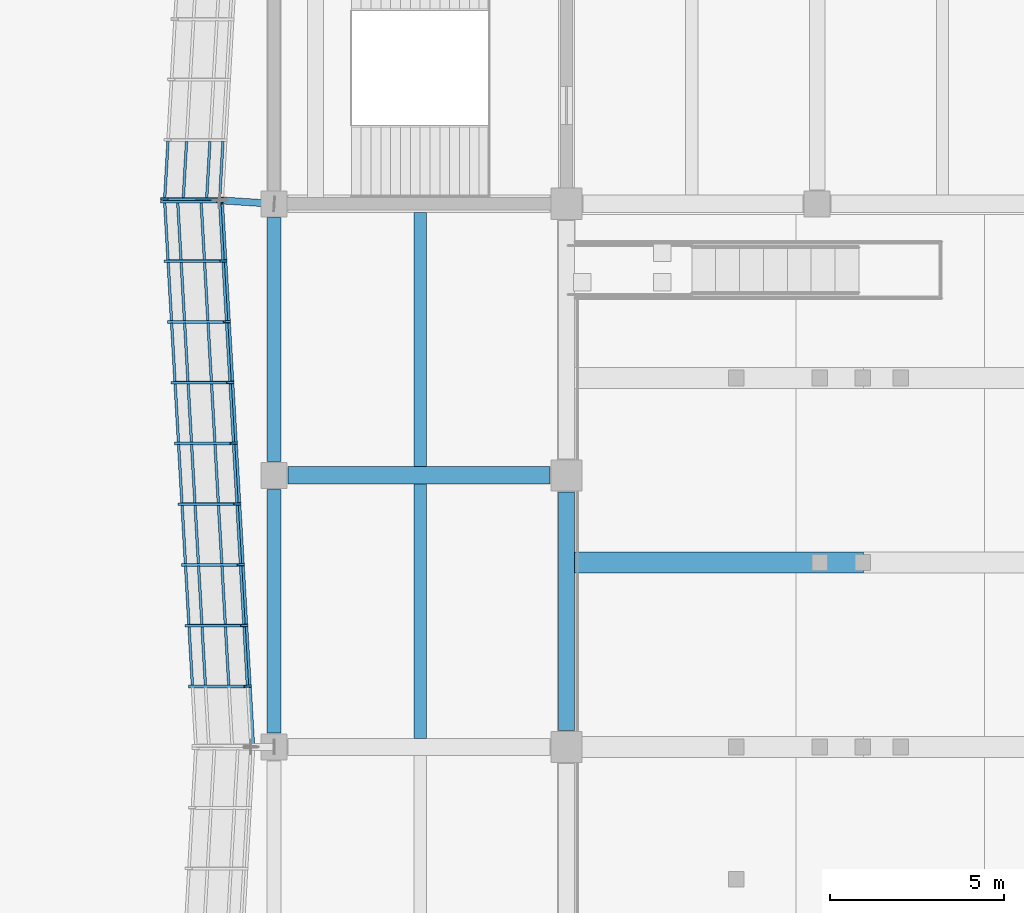
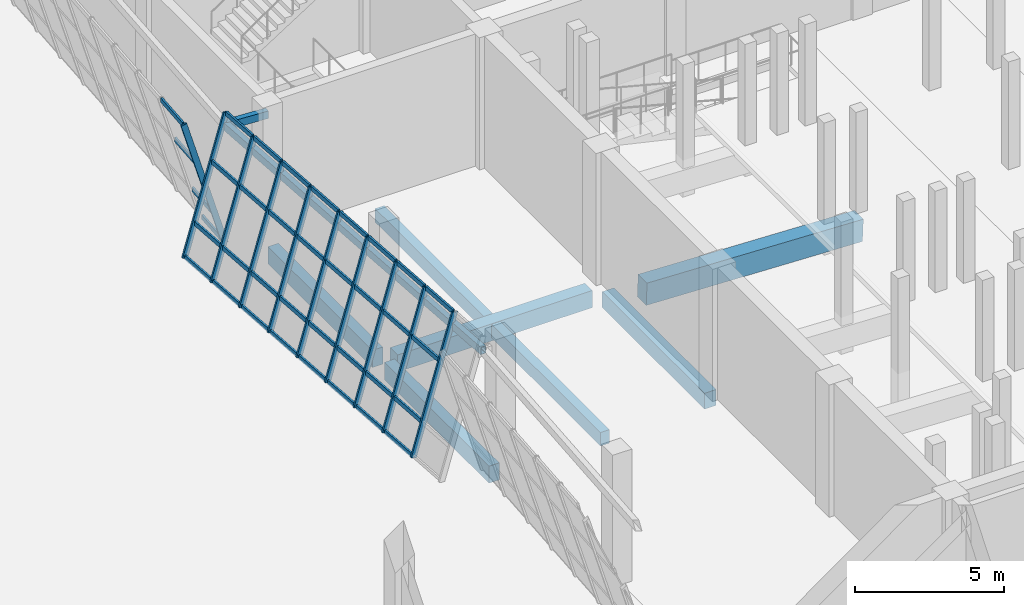
# One storey, part 28 of 78: 46 members, 9 beams, 2 elements without a shape of their own.
"""IFC4 building model written with IfcOpenShell, lengths in metres."""

from ifc_helpers import new_model, si_unit, direction, frame, origin, origin_2d, place, context, subcontext, project, spatial, rectangle, hollow_rectangle, extrude, material, material_profile, profile_set, type_object, element, aggregate, save


model = new_model("IFC4")

# Units and contexts
model_context = context("Model", 3, precision=1e-05, world=origin(), true_north=direction((0.0, 1.0)))
body_context = subcontext(model_context, "Body", "Model", "MODEL_VIEW")
ifc_project = project(units=[si_unit("LENGTHUNIT", "METRE"), si_unit("AREAUNIT", "SQUARE_METRE"), si_unit("VOLUMEUNIT", "CUBIC_METRE"), si_unit("PLANEANGLEUNIT", "RADIAN"), si_unit("MASSUNIT", "GRAM", prefix="KILO")], contexts=[model_context])

# Site, building, storey
site_placement = place(None, origin())
site = spatial("IfcSite", under=ifc_project, at=site_placement, CompositionType="ELEMENT")
building_placement = place(site_placement, origin())
building = spatial("IfcBuilding", under=site, at=building_placement, Name="Pellamere Symphony Hall", CompositionType="ELEMENT")
storey_placement = place(building_placement, origin())
storey = spatial("IfcBuildingStorey", under=building, at=storey_placement, Name="L00", CompositionType="ELEMENT", Elevation=0.0)

# Curtain wall, member
ifc_material_1 = material(Name="Thermally Broken Anodised Aluminium 6063-T6 Curtain Wall", Category="aluminium")
curtain_wall_type = type_object("IfcCurtainWallType", Name="Curtain Wall CW-01 (Tilted Faceted Crystal Low-Iron Curtain Wall)", PredefinedType="NOTDEFINED", material=ifc_material_1)
curtain_wall_1_placement = place(storey_placement, origin())
curtain_wall_1 = element("IfcCurtainWall", 1, at=curtain_wall_1_placement, inside=storey, type_object=curtain_wall_type, Name="Crystal Faceted Curtain Wall CW-CR15 (L00)", PredefinedType="NOTDEFINED")
ifc_material_2 = material(Name="Anodised Architectural Aluminium 6063-T6", Category="aluminium")
ifc_material_profile_1 = material_profile(ifc_material_2, hollow_rectangle(XDim=0.074951171875, YDim=0.219970703125, WallThickness=0.0048828125, at=origin_2d()), Name="ALU-M75X220X5")
ifc_profile_set_1 = profile_set([ifc_material_profile_1], Name="Anodised Architectural Aluminium 6063-T6")
member_type_1 = type_object("IfcMemberType", Name="Curtain Wall Mullion ML-01 ALU-M75X220X5", PredefinedType="MULLION", material=ifc_profile_set_1)
member_1_placement = place(storey_placement, frame((48.85205078125, 77.537353515625, 0.0), z_axis=(-0.284029290042, 0.0, 0.958815603961), x_axis=(-0.055224456577, -0.998339941676, -0.01635910297)))
member_1 = element("IfcMember", 2, at=member_1_placement, type_object=member_type_1, Name="CW1-037 crystal mullion 10", PredefinedType="MULLION", context=body_context, shape_type="SweptSolid", body=[
    extrude(hollow_rectangle(XDim=0.074951171875, YDim=0.219970703125, WallThickness=0.0048828125, at=origin_2d()), origin(), (0.0, 0.0, 1.0), 5.6318359375),
])

# Curtain wall, members
curtain_wall_2_placement = place(storey_placement, origin())
curtain_wall_2 = element("IfcCurtainWall", 3, at=curtain_wall_2_placement, inside=storey, type_object=curtain_wall_type, Name="Crystal Faceted Curtain Wall CW-CR16 (L00)", PredefinedType="NOTDEFINED")
member_2_placement = place(storey_placement, frame((47.25244140625, 77.462646484375, 0.0), z_axis=(0.284029290042, 0.0, 0.958815603961), x_axis=(-0.054873864247, 0.99836096977, 0.016255247244)))
member_2 = element("IfcMember", 4, at=member_2_placement, type_object=member_type_1, Name="CW1-042 crystal mullion 1", PredefinedType="MULLION", context=body_context, shape_type="SweptSolid", body=[
    extrude(hollow_rectangle(XDim=0.074951171875, YDim=0.219970703125, WallThickness=0.0048828125, at=origin_2d()), origin(), (0.0, 0.0, 1.0), 5.6318359375),
])
member_3_placement = place(storey_placement, frame((47.350341796875, 75.755615234375, 0.0), z_axis=(0.284029290042, 0.0, 0.958815603961), x_axis=(-0.054873864247, 0.99836096977, 0.016255247244)))
member_3 = element("IfcMember", 5, at=member_3_placement, type_object=member_type_1, Name="CW1-042 crystal mullion 2", PredefinedType="MULLION", context=body_context, shape_type="SweptSolid", body=[
    extrude(hollow_rectangle(XDim=0.074951171875, YDim=0.219970703125, WallThickness=0.0048828125, at=origin_2d()), origin(), (0.0, 0.0, 1.0), 5.6318359375),
])
member_4_placement = place(storey_placement, frame((47.450439453125, 74.01123046875, 0.0), z_axis=(0.284029290042, 0.0, 0.958815603961), x_axis=(-0.054873864247, 0.99836096977, 0.016255247244)))
member_4 = element("IfcMember", 6, at=member_4_placement, type_object=member_type_1, Name="CW1-042 crystal mullion 3", PredefinedType="MULLION", context=body_context, shape_type="SweptSolid", body=[
    extrude(hollow_rectangle(XDim=0.074951171875, YDim=0.219970703125, WallThickness=0.0048828125, at=origin_2d()), origin(), (0.0, 0.0, 1.0), 5.6318359375),
])
member_5_placement = place(storey_placement, frame((47.55029296875, 72.2666015625, 0.0), z_axis=(0.284029290042, 0.0, 0.958815603961), x_axis=(-0.054873864247, 0.99836096977, 0.016255247244)))
member_5 = element("IfcMember", 7, at=member_5_placement, type_object=member_type_1, Name="CW1-042 crystal mullion 4", PredefinedType="MULLION", context=body_context, shape_type="SweptSolid", body=[
    extrude(hollow_rectangle(XDim=0.074951171875, YDim=0.219970703125, WallThickness=0.0048828125, at=origin_2d()), origin(), (0.0, 0.0, 1.0), 5.6318359375),
])
member_6_placement = place(storey_placement, frame((47.650390625, 70.522216796875, 0.0), z_axis=(0.284029290042, 0.0, 0.958815603961), x_axis=(-0.054873864247, 0.99836096977, 0.016255247244)))
member_6 = element("IfcMember", 8, at=member_6_placement, type_object=member_type_1, Name="CW1-042 crystal mullion 5", PredefinedType="MULLION", context=body_context, shape_type="SweptSolid", body=[
    extrude(hollow_rectangle(XDim=0.074951171875, YDim=0.219970703125, WallThickness=0.0048828125, at=origin_2d()), origin(), (0.0, 0.0, 1.0), 5.6318359375),
])
member_7_placement = place(storey_placement, frame((47.75048828125, 68.77783203125, 0.0), z_axis=(0.284029290042, 0.0, 0.958815603961), x_axis=(-0.054873864247, 0.99836096977, 0.016255247244)))
member_7 = element("IfcMember", 9, at=member_7_placement, type_object=member_type_1, Name="CW1-042 crystal mullion 6", PredefinedType="MULLION", context=body_context, shape_type="SweptSolid", body=[
    extrude(hollow_rectangle(XDim=0.074951171875, YDim=0.219970703125, WallThickness=0.0048828125, at=origin_2d()), origin(), (0.0, 0.0, 1.0), 5.6318359375),
])
member_8_placement = place(storey_placement, frame((47.850341796875, 67.033447265625, 0.0), z_axis=(0.284029290042, 0.0, 0.958815603961), x_axis=(-0.054873864247, 0.99836096977, 0.016255247244)))
member_8 = element("IfcMember", 10, at=member_8_placement, type_object=member_type_1, Name="CW1-042 crystal mullion 7", PredefinedType="MULLION", context=body_context, shape_type="SweptSolid", body=[
    extrude(hollow_rectangle(XDim=0.074951171875, YDim=0.219970703125, WallThickness=0.0048828125, at=origin_2d()), origin(), (0.0, 0.0, 1.0), 5.6318359375),
])
member_9_placement = place(storey_placement, frame((47.950439453125, 65.288818359375, 0.0), z_axis=(0.284029290042, 0.0, 0.958815603961), x_axis=(-0.054873864247, 0.99836096977, 0.016255247244)))
member_9 = element("IfcMember", 11, at=member_9_placement, type_object=member_type_1, Name="CW1-042 crystal mullion 8", PredefinedType="MULLION", context=body_context, shape_type="SweptSolid", body=[
    extrude(hollow_rectangle(XDim=0.074951171875, YDim=0.219970703125, WallThickness=0.0048828125, at=origin_2d()), origin(), (0.0, 0.0, 1.0), 5.6318359375),
])
member_10_placement = place(storey_placement, frame((48.05029296875, 63.54443359375, 0.0), z_axis=(0.284029290042, 0.0, 0.958815603961), x_axis=(-0.054873864247, 0.99836096977, 0.016255247244)))
member_10 = element("IfcMember", 12, at=member_10_placement, type_object=member_type_1, Name="CW1-042 crystal mullion 9", PredefinedType="MULLION", context=body_context, shape_type="SweptSolid", body=[
    extrude(hollow_rectangle(XDim=0.074951171875, YDim=0.219970703125, WallThickness=0.0048828125, at=origin_2d()), origin(), (0.0, 0.0, 1.0), 5.6318359375),
])

# Member
ifc_material_profile_2 = material_profile(ifc_material_2, hollow_rectangle(XDim=0.074951171875, YDim=0.179931640625, WallThickness=0.0048828125, at=origin_2d()), Name="ALU-T75X180X5")
ifc_profile_set_2 = profile_set([ifc_material_profile_2], Name="Anodised Architectural Aluminium 6063-T6")
member_type_2 = type_object("IfcMemberType", Name="Curtain Wall Transom TR-01 ALU-T75X180X5", PredefinedType="USERDEFINED", material=ifc_profile_set_2)
member_11_placement = place(storey_placement, frame((48.937255859375, 79.19580078125, 0.035888671875), z_axis=(-0.057593652861, -0.998340107954, 0.0), x_axis=(0.998340107954, -0.057593652861, 0.0)))
member_11 = element("IfcMember", 13, at=member_11_placement, type_object=member_type_2, Name="CW1-037 crystal transom 9.1", ObjectType="TRANSOM", PredefinedType="USERDEFINED", context=body_context, shape_type="SweptSolid", body=[
    extrude(hollow_rectangle(XDim=0.074951171875, YDim=0.179931640625, WallThickness=0.0048828125, at=origin_2d()), origin(), (0.0, 0.0, 1.0), 1.62353515625),
])

member_12_placement = place(storey_placement, frame((48.56396484375, 79.19580078125, 1.2958984375), z_axis=(-0.057593652861, -0.998340107954, 0.0), x_axis=(0.998340107954, -0.057593652861, 0.0)))
member_12 = element("IfcMember", 14, at=member_12_placement, type_object=member_type_2, Name="CW1-037 crystal transom 9.2", ObjectType="TRANSOM", PredefinedType="USERDEFINED", context=body_context, shape_type="SweptSolid", body=[
    extrude(hollow_rectangle(XDim=0.074951171875, YDim=0.179931640625, WallThickness=0.0048828125, at=origin_2d()), origin(), (0.0, 0.0, 1.0), 1.62353515625),
])

member_13_placement = place(storey_placement, frame((47.89208984375, 79.19580078125, 3.56396484375), z_axis=(-0.057593652861, -0.998340107954, 0.0), x_axis=(0.998340107954, -0.057593652861, 0.0)))
member_13 = element("IfcMember", 15, at=member_13_placement, type_object=member_type_2, Name="CW1-037 crystal transom 9.3", ObjectType="TRANSOM", PredefinedType="USERDEFINED", context=body_context, shape_type="SweptSolid", body=[
    extrude(hollow_rectangle(XDim=0.074951171875, YDim=0.179931640625, WallThickness=0.0048828125, at=origin_2d()), origin(), (0.0, 0.0, 1.0), 1.62353515625),
])

member_14_placement = place(storey_placement, frame((47.35888671875, 79.19580078125, 5.364013671875), z_axis=(-0.057593652861, -0.998340107954, 0.0), x_axis=(0.998340107954, -0.057593652861, 0.0)))
member_14 = element("IfcMember", 16, at=member_14_placement, type_object=member_type_2, Name="CW1-037 crystal transom 9.4", ObjectType="TRANSOM", PredefinedType="USERDEFINED", context=body_context, shape_type="SweptSolid", body=[
    extrude(hollow_rectangle(XDim=0.074951171875, YDim=0.179931640625, WallThickness=0.0048828125, at=origin_2d()), origin(), (0.0, 0.0, 1.0), 1.62353515625),
])

aggregate(curtain_wall_1, [member_1, member_11, member_12, member_13, member_14])

member_15_placement = place(storey_placement, frame((47.265380859375, 77.425048828125, 0.035888671875), z_axis=(0.057198647566, -0.998362817175, 0.0), x_axis=(0.998362817175, 0.057198647566, 0.0)))
member_15 = element("IfcMember", 17, at=member_15_placement, type_object=member_type_2, Name="CW1-042 crystal transom 1.1", ObjectType="TRANSOM", PredefinedType="USERDEFINED", context=body_context, shape_type="SweptSolid", body=[
    extrude(hollow_rectangle(XDim=0.074951171875, YDim=0.179931640625, WallThickness=0.0048828125, at=origin_2d()), origin(), (0.0, 0.0, 1.0), 1.634765625),
])

member_16_placement = place(storey_placement, frame((47.638671875, 77.425048828125, 1.2958984375), z_axis=(0.057198647566, -0.998362817175, 0.0), x_axis=(0.998362817175, 0.057198647566, 0.0)))
member_16 = element("IfcMember", 18, at=member_16_placement, type_object=member_type_2, Name="CW1-042 crystal transom 1.2", ObjectType="TRANSOM", PredefinedType="USERDEFINED", context=body_context, shape_type="SweptSolid", body=[
    extrude(hollow_rectangle(XDim=0.074951171875, YDim=0.179931640625, WallThickness=0.0048828125, at=origin_2d()), origin(), (0.0, 0.0, 1.0), 1.634765625),
])

member_17_placement = place(storey_placement, frame((48.310546875, 77.425048828125, 3.56396484375), z_axis=(0.057198647566, -0.998362817175, 0.0), x_axis=(0.998362817175, 0.057198647566, 0.0)))
member_17 = element("IfcMember", 19, at=member_17_placement, type_object=member_type_2, Name="CW1-042 crystal transom 1.3", ObjectType="TRANSOM", PredefinedType="USERDEFINED", context=body_context, shape_type="SweptSolid", body=[
    extrude(hollow_rectangle(XDim=0.074951171875, YDim=0.179931640625, WallThickness=0.0048828125, at=origin_2d()), origin(), (0.0, 0.0, 1.0), 1.634765625),
])

member_18_placement = place(storey_placement, frame((48.84375, 77.425048828125, 5.364013671875), z_axis=(0.057198647566, -0.998362817175, 0.0), x_axis=(0.998362817175, 0.057198647566, 0.0)))
member_18 = element("IfcMember", 20, at=member_18_placement, type_object=member_type_2, Name="CW1-042 crystal transom 1.4", ObjectType="TRANSOM", PredefinedType="USERDEFINED", context=body_context, shape_type="SweptSolid", body=[
    extrude(hollow_rectangle(XDim=0.074951171875, YDim=0.179931640625, WallThickness=0.0048828125, at=origin_2d()), origin(), (0.0, 0.0, 1.0), 1.634765625),
])

member_19_placement = place(storey_placement, frame((47.36328125, 75.718017578125, 0.035888671875), z_axis=(0.057232737422, -0.998360863499, 0.0), x_axis=(0.998360863499, 0.057232737422, 0.0)))
member_19 = element("IfcMember", 21, at=member_19_placement, type_object=member_type_2, Name="CW1-042 crystal transom 2.1", ObjectType="TRANSOM", PredefinedType="USERDEFINED", context=body_context, shape_type="SweptSolid", body=[
    extrude(hollow_rectangle(XDim=0.074951171875, YDim=0.179931640625, WallThickness=0.0048828125, at=origin_2d()), origin(), (0.0, 0.0, 1.0), 1.672119140625),
])

member_20_placement = place(storey_placement, frame((47.736328125, 75.718017578125, 1.2958984375), z_axis=(0.057378259236, -0.998352510573, 0.0), x_axis=(0.998352510573, 0.057378259236, 0.0)))
member_20 = element("IfcMember", 22, at=member_20_placement, type_object=member_type_2, Name="CW1-042 crystal transom 2.2", ObjectType="TRANSOM", PredefinedType="USERDEFINED", context=body_context, shape_type="SweptSolid", body=[
    extrude(hollow_rectangle(XDim=0.074951171875, YDim=0.179931640625, WallThickness=0.0048828125, at=origin_2d()), origin(), (0.0, 0.0, 1.0), 1.672119140625),
])

member_21_placement = place(storey_placement, frame((48.408203125, 75.718017578125, 3.56396484375), z_axis=(0.057232737422, -0.998360863499, 0.0), x_axis=(0.998360863499, 0.057232737422, 0.0)))
member_21 = element("IfcMember", 23, at=member_21_placement, type_object=member_type_2, Name="CW1-042 crystal transom 2.3", ObjectType="TRANSOM", PredefinedType="USERDEFINED", context=body_context, shape_type="SweptSolid", body=[
    extrude(hollow_rectangle(XDim=0.074951171875, YDim=0.179931640625, WallThickness=0.0048828125, at=origin_2d()), origin(), (0.0, 0.0, 1.0), 1.672119140625),
])

member_22_placement = place(storey_placement, frame((48.94140625, 75.718017578125, 5.364013671875), z_axis=(0.057232737422, -0.998360863499, 0.0), x_axis=(0.998360863499, 0.057232737422, 0.0)))
member_22 = element("IfcMember", 24, at=member_22_placement, type_object=member_type_2, Name="CW1-042 crystal transom 2.4", ObjectType="TRANSOM", PredefinedType="USERDEFINED", context=body_context, shape_type="SweptSolid", body=[
    extrude(hollow_rectangle(XDim=0.074951171875, YDim=0.179931640625, WallThickness=0.0048828125, at=origin_2d()), origin(), (0.0, 0.0, 1.0), 1.672119140625),
])

member_23_placement = place(storey_placement, frame((47.463134765625, 73.9736328125, 0.035888671875), z_axis=(0.057232737422, -0.998360863499, 0.0), x_axis=(0.998360863499, 0.057232737422, 0.0)))
member_23 = element("IfcMember", 25, at=member_23_placement, type_object=member_type_2, Name="CW1-042 crystal transom 3.1", ObjectType="TRANSOM", PredefinedType="USERDEFINED", context=body_context, shape_type="SweptSolid", body=[
    extrude(hollow_rectangle(XDim=0.074951171875, YDim=0.179931640625, WallThickness=0.0048828125, at=origin_2d()), origin(), (0.0, 0.0, 1.0), 1.672119140625),
])

member_24_placement = place(storey_placement, frame((47.83642578125, 73.9736328125, 1.2958984375), z_axis=(0.057232737422, -0.998360863499, 0.0), x_axis=(0.998360863499, 0.057232737422, 0.0)))
member_24 = element("IfcMember", 26, at=member_24_placement, type_object=member_type_2, Name="CW1-042 crystal transom 3.2", ObjectType="TRANSOM", PredefinedType="USERDEFINED", context=body_context, shape_type="SweptSolid", body=[
    extrude(hollow_rectangle(XDim=0.074951171875, YDim=0.179931640625, WallThickness=0.0048828125, at=origin_2d()), origin(), (0.0, 0.0, 1.0), 1.672119140625),
])

member_25_placement = place(storey_placement, frame((48.50830078125, 73.9736328125, 3.56396484375), z_axis=(0.057232737422, -0.998360863499, 0.0), x_axis=(0.998360863499, 0.057232737422, 0.0)))
member_25 = element("IfcMember", 27, at=member_25_placement, type_object=member_type_2, Name="CW1-042 crystal transom 3.3", ObjectType="TRANSOM", PredefinedType="USERDEFINED", context=body_context, shape_type="SweptSolid", body=[
    extrude(hollow_rectangle(XDim=0.074951171875, YDim=0.179931640625, WallThickness=0.0048828125, at=origin_2d()), origin(), (0.0, 0.0, 1.0), 1.672119140625),
])

member_26_placement = place(storey_placement, frame((49.04150390625, 73.9736328125, 5.364013671875), z_axis=(0.057232737422, -0.998360863499, 0.0), x_axis=(0.998360863499, 0.057232737422, 0.0)))
member_26 = element("IfcMember", 28, at=member_26_placement, type_object=member_type_2, Name="CW1-042 crystal transom 3.4", ObjectType="TRANSOM", PredefinedType="USERDEFINED", context=body_context, shape_type="SweptSolid", body=[
    extrude(hollow_rectangle(XDim=0.074951171875, YDim=0.179931640625, WallThickness=0.0048828125, at=origin_2d()), origin(), (0.0, 0.0, 1.0), 1.672119140625),
])

member_27_placement = place(storey_placement, frame((47.563232421875, 72.229248046875, 0.035888671875), z_axis=(0.057224396245, -0.998361341637, 0.0), x_axis=(0.998361341637, 0.057224396245, 0.0)))
member_27 = element("IfcMember", 29, at=member_27_placement, type_object=member_type_2, Name="CW1-042 crystal transom 4.1", ObjectType="TRANSOM", PredefinedType="USERDEFINED", context=body_context, shape_type="SweptSolid", body=[
    extrude(hollow_rectangle(XDim=0.074951171875, YDim=0.179931640625, WallThickness=0.0048828125, at=origin_2d()), origin(), (0.0, 0.0, 1.0), 1.67236328125),
])

member_28_placement = place(storey_placement, frame((47.9365234375, 72.229248046875, 1.2958984375), z_axis=(0.057224396245, -0.998361341637, 0.0), x_axis=(0.998361341637, 0.057224396245, 0.0)))
member_28 = element("IfcMember", 30, at=member_28_placement, type_object=member_type_2, Name="CW1-042 crystal transom 4.2", ObjectType="TRANSOM", PredefinedType="USERDEFINED", context=body_context, shape_type="SweptSolid", body=[
    extrude(hollow_rectangle(XDim=0.074951171875, YDim=0.179931640625, WallThickness=0.0048828125, at=origin_2d()), origin(), (0.0, 0.0, 1.0), 1.67236328125),
])

member_29_placement = place(storey_placement, frame((48.6083984375, 72.229248046875, 3.56396484375), z_axis=(0.057224396245, -0.998361341637, 0.0), x_axis=(0.998361341637, 0.057224396245, 0.0)))
member_29 = element("IfcMember", 31, at=member_29_placement, type_object=member_type_2, Name="CW1-042 crystal transom 4.3", ObjectType="TRANSOM", PredefinedType="USERDEFINED", context=body_context, shape_type="SweptSolid", body=[
    extrude(hollow_rectangle(XDim=0.074951171875, YDim=0.179931640625, WallThickness=0.0048828125, at=origin_2d()), origin(), (0.0, 0.0, 1.0), 1.67236328125),
])

member_30_placement = place(storey_placement, frame((49.1416015625, 72.229248046875, 5.364013671875), z_axis=(0.057224396245, -0.998361341637, 0.0), x_axis=(0.998361341637, 0.057224396245, 0.0)))
member_30 = element("IfcMember", 32, at=member_30_placement, type_object=member_type_2, Name="CW1-042 crystal transom 4.4", ObjectType="TRANSOM", PredefinedType="USERDEFINED", context=body_context, shape_type="SweptSolid", body=[
    extrude(hollow_rectangle(XDim=0.074951171875, YDim=0.179931640625, WallThickness=0.0048828125, at=origin_2d()), origin(), (0.0, 0.0, 1.0), 1.67236328125),
])

member_31_placement = place(storey_placement, frame((47.6630859375, 70.48486328125, 0.035888671875), z_axis=(0.057224396245, -0.998361341637, 0.0), x_axis=(0.998361341637, 0.057224396245, 0.0)))
member_31 = element("IfcMember", 33, at=member_31_placement, type_object=member_type_2, Name="CW1-042 crystal transom 5.1", ObjectType="TRANSOM", PredefinedType="USERDEFINED", context=body_context, shape_type="SweptSolid", body=[
    extrude(hollow_rectangle(XDim=0.074951171875, YDim=0.179931640625, WallThickness=0.0048828125, at=origin_2d()), origin(), (0.0, 0.0, 1.0), 1.67236328125),
])

member_32_placement = place(storey_placement, frame((48.036376953125, 70.48486328125, 1.2958984375), z_axis=(0.057224396245, -0.998361341637, 0.0), x_axis=(0.998361341637, 0.057224396245, 0.0)))
member_32 = element("IfcMember", 34, at=member_32_placement, type_object=member_type_2, Name="CW1-042 crystal transom 5.2", ObjectType="TRANSOM", PredefinedType="USERDEFINED", context=body_context, shape_type="SweptSolid", body=[
    extrude(hollow_rectangle(XDim=0.074951171875, YDim=0.179931640625, WallThickness=0.0048828125, at=origin_2d()), origin(), (0.0, 0.0, 1.0), 1.67236328125),
])

member_33_placement = place(storey_placement, frame((48.708251953125, 70.48486328125, 3.56396484375), z_axis=(0.057224396245, -0.998361341637, 0.0), x_axis=(0.998361341637, 0.057224396245, 0.0)))
member_33 = element("IfcMember", 35, at=member_33_placement, type_object=member_type_2, Name="CW1-042 crystal transom 5.3", ObjectType="TRANSOM", PredefinedType="USERDEFINED", context=body_context, shape_type="SweptSolid", body=[
    extrude(hollow_rectangle(XDim=0.074951171875, YDim=0.179931640625, WallThickness=0.0048828125, at=origin_2d()), origin(), (0.0, 0.0, 1.0), 1.67236328125),
])

member_34_placement = place(storey_placement, frame((49.241455078125, 70.48486328125, 5.364013671875), z_axis=(0.057224396245, -0.998361341637, 0.0), x_axis=(0.998361341637, 0.057224396245, 0.0)))
member_34 = element("IfcMember", 36, at=member_34_placement, type_object=member_type_2, Name="CW1-042 crystal transom 5.4", ObjectType="TRANSOM", PredefinedType="USERDEFINED", context=body_context, shape_type="SweptSolid", body=[
    extrude(hollow_rectangle(XDim=0.074951171875, YDim=0.179931640625, WallThickness=0.0048828125, at=origin_2d()), origin(), (0.0, 0.0, 1.0), 1.67236328125),
])

member_35_placement = place(storey_placement, frame((47.76318359375, 68.740234375, 0.035888671875), z_axis=(0.057232737422, -0.998360863499, 0.0), x_axis=(0.998360863499, 0.057232737422, 0.0)))
member_35 = element("IfcMember", 37, at=member_35_placement, type_object=member_type_2, Name="CW1-042 crystal transom 6.1", ObjectType="TRANSOM", PredefinedType="USERDEFINED", context=body_context, shape_type="SweptSolid", body=[
    extrude(hollow_rectangle(XDim=0.074951171875, YDim=0.179931640625, WallThickness=0.0048828125, at=origin_2d()), origin(), (0.0, 0.0, 1.0), 1.672119140625),
])

member_36_placement = place(storey_placement, frame((48.136474609375, 68.740234375, 1.2958984375), z_axis=(0.057232737422, -0.998360863499, 0.0), x_axis=(0.998360863499, 0.057232737422, 0.0)))
member_36 = element("IfcMember", 38, at=member_36_placement, type_object=member_type_2, Name="CW1-042 crystal transom 6.2", ObjectType="TRANSOM", PredefinedType="USERDEFINED", context=body_context, shape_type="SweptSolid", body=[
    extrude(hollow_rectangle(XDim=0.074951171875, YDim=0.179931640625, WallThickness=0.0048828125, at=origin_2d()), origin(), (0.0, 0.0, 1.0), 1.672119140625),
])

member_37_placement = place(storey_placement, frame((48.808349609375, 68.740234375, 3.56396484375), z_axis=(0.057232737422, -0.998360863499, 0.0), x_axis=(0.998360863499, 0.057232737422, 0.0)))
member_37 = element("IfcMember", 39, at=member_37_placement, type_object=member_type_2, Name="CW1-042 crystal transom 6.3", ObjectType="TRANSOM", PredefinedType="USERDEFINED", context=body_context, shape_type="SweptSolid", body=[
    extrude(hollow_rectangle(XDim=0.074951171875, YDim=0.179931640625, WallThickness=0.0048828125, at=origin_2d()), origin(), (0.0, 0.0, 1.0), 1.672119140625),
])

member_38_placement = place(storey_placement, frame((49.341552734375, 68.740234375, 5.364013671875), z_axis=(0.057232737422, -0.998360863499, 0.0), x_axis=(0.998360863499, 0.057232737422, 0.0)))
member_38 = element("IfcMember", 40, at=member_38_placement, type_object=member_type_2, Name="CW1-042 crystal transom 6.4", ObjectType="TRANSOM", PredefinedType="USERDEFINED", context=body_context, shape_type="SweptSolid", body=[
    extrude(hollow_rectangle(XDim=0.074951171875, YDim=0.179931640625, WallThickness=0.0048828125, at=origin_2d()), origin(), (0.0, 0.0, 1.0), 1.672119140625),
])

member_39_placement = place(storey_placement, frame((47.86328125, 66.995849609375, 0.035888671875), z_axis=(0.057232737422, -0.998360863499, 0.0), x_axis=(0.998360863499, 0.057232737422, 0.0)))
member_39 = element("IfcMember", 41, at=member_39_placement, type_object=member_type_2, Name="CW1-042 crystal transom 7.1", ObjectType="TRANSOM", PredefinedType="USERDEFINED", context=body_context, shape_type="SweptSolid", body=[
    extrude(hollow_rectangle(XDim=0.074951171875, YDim=0.179931640625, WallThickness=0.0048828125, at=origin_2d()), origin(), (0.0, 0.0, 1.0), 1.672119140625),
])

member_40_placement = place(storey_placement, frame((48.236328125, 66.995849609375, 1.2958984375), z_axis=(0.057378259236, -0.998352510573, 0.0), x_axis=(0.998352510573, 0.057378259236, 0.0)))
member_40 = element("IfcMember", 42, at=member_40_placement, type_object=member_type_2, Name="CW1-042 crystal transom 7.2", ObjectType="TRANSOM", PredefinedType="USERDEFINED", context=body_context, shape_type="SweptSolid", body=[
    extrude(hollow_rectangle(XDim=0.074951171875, YDim=0.179931640625, WallThickness=0.0048828125, at=origin_2d()), origin(), (0.0, 0.0, 1.0), 1.672119140625),
])

member_41_placement = place(storey_placement, frame((48.908203125, 66.995849609375, 3.56396484375), z_axis=(0.057232737422, -0.998360863499, 0.0), x_axis=(0.998360863499, 0.057232737422, 0.0)))
member_41 = element("IfcMember", 43, at=member_41_placement, type_object=member_type_2, Name="CW1-042 crystal transom 7.3", ObjectType="TRANSOM", PredefinedType="USERDEFINED", context=body_context, shape_type="SweptSolid", body=[
    extrude(hollow_rectangle(XDim=0.074951171875, YDim=0.179931640625, WallThickness=0.0048828125, at=origin_2d()), origin(), (0.0, 0.0, 1.0), 1.672119140625),
])

member_42_placement = place(storey_placement, frame((49.44140625, 66.995849609375, 5.364013671875), z_axis=(0.057232737422, -0.998360863499, 0.0), x_axis=(0.998360863499, 0.057232737422, 0.0)))
member_42 = element("IfcMember", 44, at=member_42_placement, type_object=member_type_2, Name="CW1-042 crystal transom 7.4", ObjectType="TRANSOM", PredefinedType="USERDEFINED", context=body_context, shape_type="SweptSolid", body=[
    extrude(hollow_rectangle(XDim=0.074951171875, YDim=0.179931640625, WallThickness=0.0048828125, at=origin_2d()), origin(), (0.0, 0.0, 1.0), 1.672119140625),
])

member_43_placement = place(storey_placement, frame((47.963134765625, 65.25146484375, 0.035888671875), z_axis=(0.057224396245, -0.998361341637, 0.0), x_axis=(0.998361341637, 0.057224396245, 0.0)))
member_43 = element("IfcMember", 45, at=member_43_placement, type_object=member_type_2, Name="CW1-042 crystal transom 8.1", ObjectType="TRANSOM", PredefinedType="USERDEFINED", context=body_context, shape_type="SweptSolid", body=[
    extrude(hollow_rectangle(XDim=0.074951171875, YDim=0.179931640625, WallThickness=0.0048828125, at=origin_2d()), origin(), (0.0, 0.0, 1.0), 1.67236328125),
])

member_44_placement = place(storey_placement, frame((48.33642578125, 65.25146484375, 1.2958984375), z_axis=(0.057224396245, -0.998361341637, 0.0), x_axis=(0.998361341637, 0.057224396245, 0.0)))
member_44 = element("IfcMember", 46, at=member_44_placement, type_object=member_type_2, Name="CW1-042 crystal transom 8.2", ObjectType="TRANSOM", PredefinedType="USERDEFINED", context=body_context, shape_type="SweptSolid", body=[
    extrude(hollow_rectangle(XDim=0.074951171875, YDim=0.179931640625, WallThickness=0.0048828125, at=origin_2d()), origin(), (0.0, 0.0, 1.0), 1.67236328125),
])

member_45_placement = place(storey_placement, frame((49.00830078125, 65.25146484375, 3.56396484375), z_axis=(0.057224396245, -0.998361341637, 0.0), x_axis=(0.998361341637, 0.057224396245, 0.0)))
member_45 = element("IfcMember", 47, at=member_45_placement, type_object=member_type_2, Name="CW1-042 crystal transom 8.3", ObjectType="TRANSOM", PredefinedType="USERDEFINED", context=body_context, shape_type="SweptSolid", body=[
    extrude(hollow_rectangle(XDim=0.074951171875, YDim=0.179931640625, WallThickness=0.0048828125, at=origin_2d()), origin(), (0.0, 0.0, 1.0), 1.67236328125),
])

member_46_placement = place(storey_placement, frame((49.54150390625, 65.25146484375, 5.364013671875), z_axis=(0.057224396245, -0.998361341637, 0.0), x_axis=(0.998361341637, 0.057224396245, 0.0)))
member_46 = element("IfcMember", 48, at=member_46_placement, type_object=member_type_2, Name="CW1-042 crystal transom 8.4", ObjectType="TRANSOM", PredefinedType="USERDEFINED", context=body_context, shape_type="SweptSolid", body=[
    extrude(hollow_rectangle(XDim=0.074951171875, YDim=0.179931640625, WallThickness=0.0048828125, at=origin_2d()), origin(), (0.0, 0.0, 1.0), 1.67236328125),
])

aggregate(curtain_wall_2, [member_2, member_3, member_4, member_5, member_6, member_7, member_8, member_9, member_10, member_15, member_16, member_17, member_18, member_19, member_20, member_21, member_22, member_23, member_24, member_25, member_26, member_27, member_28, member_29, member_30, member_31, member_32, member_33, member_34, member_35, member_36, member_37, member_38, member_39, member_40, member_41, member_42, member_43, member_44, member_45, member_46])

# Beams
ifc_material_3 = material(Name="Concrete 40 MPa", Category="concrete")
ifc_material_profile_3 = material_profile(ifc_material_3, rectangle(XDim=0.5, YDim=0.699951171875, at=origin_2d()), Name="RC 500x700")
ifc_profile_set_3 = profile_set([ifc_material_profile_3], Name="Concrete 40 MPa")
beam_type_1 = type_object("IfcBeamType", Name="RC CB-07 500x700", PredefinedType="BEAM", material=ifc_profile_set_3)
beam_1_placement = place(storey_placement, frame((50.800048828125, 69.60009765625, -0.64990234375), z_axis=(1.0, 0.0, 0.0), x_axis=(0.0, 1.0, 0.0)))
element("IfcBeam", 49, at=beam_1_placement, inside=storey, type_object=beam_type_1, Name="Girder CB-07-X0130 (L00)", PredefinedType="BEAM", context=body_context, shape_type="SweptSolid", body=[
    extrude(rectangle(XDim=0.5, YDim=0.699951171875, at=origin_2d()), origin(), (0.0, 0.0, 1.0), 7.52490234375),
])
ifc_material_profile_4 = material_profile(ifc_material_3, rectangle(XDim=0.449951171875, YDim=0.64990234375, at=origin_2d()), Name="RC 450x650")
ifc_profile_set_4 = profile_set([ifc_material_profile_4], Name="Concrete 40 MPa")
beam_type_2 = type_object("IfcBeamType", Name="RC CB-08 450x650", PredefinedType="BEAM", material=ifc_profile_set_4)
beam_2_placement = place(storey_placement, frame((58.800048828125, 62.27490234375, -0.625), z_axis=(0.0, 1.0, 0.0), x_axis=(-1.0, 0.0, 0.0)))
element("IfcBeam", 50, at=beam_2_placement, inside=storey, type_object=beam_type_2, Name="Girder CB-08-Y0252 (L00)", PredefinedType="BEAM", context=body_context, shape_type="SweptSolid", body=[
    extrude(rectangle(XDim=0.449951171875, YDim=0.64990234375, at=origin_2d()), origin(), (0.0, 0.0, 1.0), 6.85009765625),
])
ifc_material_4 = material(Name="Concrete 35 MPa", Category="concrete")
ifc_material_profile_5 = material_profile(ifc_material_4, rectangle(XDim=0.35009765625, YDim=0.550048828125, at=origin_2d()), Name="RC 350x550")
ifc_profile_set_5 = profile_set([ifc_material_profile_5], Name="Concrete 35 MPa")
beam_type_3 = type_object("IfcBeamType", Name="RC CB-10 350x550", PredefinedType="BEAM", material=ifc_profile_set_5)
beam_3_placement = place(storey_placement, frame((54.60009765625, 62.050048828125, -0.590087890625), z_axis=(0.0, 1.0, 0.0), x_axis=(-1.0, 0.0, 0.0)))
element("IfcBeam", 51, at=beam_3_placement, inside=storey, type_object=beam_type_3, Name="Secondary Floor Beam CB-10-M0608 (L00)", PredefinedType="BEAM", context=body_context, shape_type="SweptSolid", body=[
    extrude(rectangle(XDim=0.35009765625, YDim=0.550048828125, at=origin_2d()), origin(), (0.0, 0.0, 1.0), 7.300048828125),
])
beam_4_placement = place(storey_placement, frame((54.60009765625, 69.85009765625, -0.590087890625), z_axis=(0.0, 1.0, 0.0), x_axis=(-1.0, 0.0, 0.0)))
element("IfcBeam", 52, at=beam_4_placement, inside=storey, type_object=beam_type_3, Name="Secondary Floor Beam CB-10-M0609 (L00)", PredefinedType="BEAM", context=body_context, shape_type="SweptSolid", body=[
    extrude(rectangle(XDim=0.35009765625, YDim=0.550048828125, at=origin_2d()), origin(), (0.0, 0.0, 1.0), 7.2998046875),
])
ifc_material_profile_6 = material_profile(ifc_material_3, rectangle(XDim=0.39990234375, YDim=0.699951171875, at=origin_2d()), Name="RC 400x700")
ifc_profile_set_6 = profile_set([ifc_material_profile_6], Name="Concrete 40 MPa")
beam_type_4 = type_object("IfcBeamType", Name="RC CB-13 400x700", PredefinedType="SPANDREL", material=ifc_profile_set_6)
for number, where, z_axis, x_axis, name in (
    (53, (50.39990234375, 62.199951171875, -0.64990234375), (0.0, 1.0, 0.0), (-1.0, 0.0, 0.0), "Girder CB-13-Y0239 (L00)"),
    (54, (50.39990234375, 70.0, -0.64990234375), (0.0, 1.0, 0.0), (-1.0, 0.0, 0.0), "Girder CB-13-Y0240 (L00)"),
):
    element("IfcBeam", number, at=place(storey_placement, frame(where, z_axis=z_axis, x_axis=x_axis)), inside=storey, type_object=beam_type_4, Name=name, PredefinedType="SPANDREL", context=body_context, shape_type="SweptSolid", body=[
        extrude(rectangle(XDim=0.39990234375, YDim=0.699951171875, at=origin_2d()), origin(), (0.0, 0.0, 1.0), 7.0),
    ])
ifc_material_profile_7 = material_profile(ifc_material_3, rectangle(XDim=0.60009765625, YDim=0.89990234375, at=origin_2d()), Name="RC 600x900")
ifc_profile_set_7 = profile_set([ifc_material_profile_7], Name="Concrete 40 MPa")
beam_type_5 = type_object("IfcBeamType", Name="RC RK-01 600x900", PredefinedType="BEAM", material=ifc_profile_set_7)
beam_5_placement = place(storey_placement, frame((67.3125, 67.10009765625, 0.5576171875), z_axis=(-0.999302509727, 0.0, 0.037342925071), x_axis=(0.0, -1.0, 0.0)))
element("IfcBeam", 55, at=beam_5_placement, inside=storey, type_object=beam_type_5, Name="Stand Main Stalls Raker Beam RK-01-017", PredefinedType="BEAM", context=body_context, shape_type="SweptSolid", body=[
    extrude(rectangle(XDim=0.60009765625, YDim=0.89990234375, at=origin_2d()), origin(), (0.0, 0.0, 1.0), 8.368408203125),
])
ifc_material_5 = material(Name="Steel CSA G40.21 350W", Category="steel")
ifc_material_profile_8 = material_profile(ifc_material_5, hollow_rectangle(XDim=0.203125, YDim=0.3046875, WallThickness=0.0126953125, at=origin_2d()), Name="HSS305X203X13")
ifc_profile_set_8 = profile_set([ifc_material_profile_8], Name="Steel CSA G40.21 350W")
beam_type_6 = type_object("IfcBeamType", Name="Steel Spandrel SB-26 HSS305X203X13", PredefinedType="SPANDREL", material=ifc_profile_set_8)
beam_6_placement = place(storey_placement, frame((50.39990234375, 77.39990234375, 4.840087890625), z_axis=(-0.997920745151, 0.064452978184, 0.0), x_axis=(-0.064452978184, -0.997920745151, 0.0)))
element("IfcBeam", 56, at=beam_6_placement, inside=storey, type_object=beam_type_6, Name="Crystal Ring Outrigger Bracket 083 (L00)", PredefinedType="SPANDREL", context=body_context, shape_type="SweptSolid", body=[
    extrude(hollow_rectangle(XDim=0.203125, YDim=0.3046875, WallThickness=0.0126953125, at=origin_2d()), origin(), (0.0, 0.0, 1.0), 1.552978515625),
])
beam_7_placement = place(storey_placement, frame((48.85009765625, 77.5, 4.840087890625), z_axis=(0.057224871396, -0.998361314402, 0.0), x_axis=(0.998361314402, 0.057224871396, 0.0)))
element("IfcBeam", 57, at=beam_7_placement, inside=storey, type_object=beam_type_6, Name="Crystal Perimeter Ring Beam CW-CR16 (L00)", PredefinedType="SPANDREL", context=body_context, shape_type="SweptSolid", body=[
    extrude(hollow_rectangle(XDim=0.203125, YDim=0.3046875, WallThickness=0.0126953125, at=origin_2d()), origin(), (0.0, 0.0, 1.0), 15.725830078125),
])

save(model, "model.ifc")
